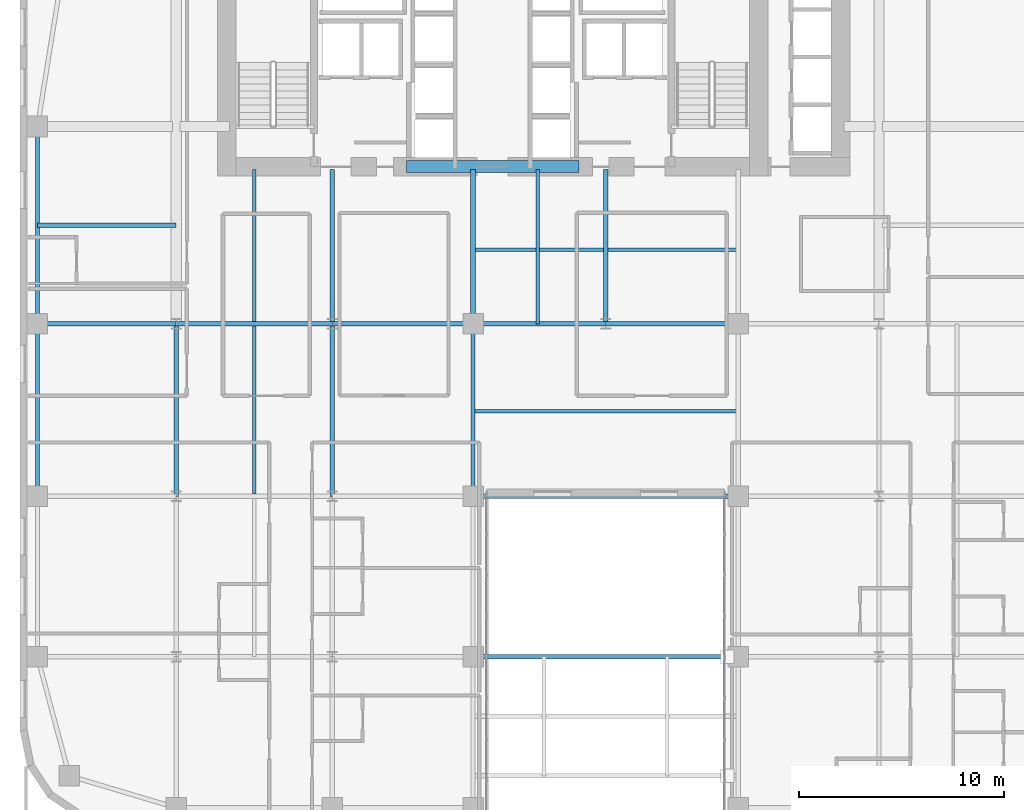
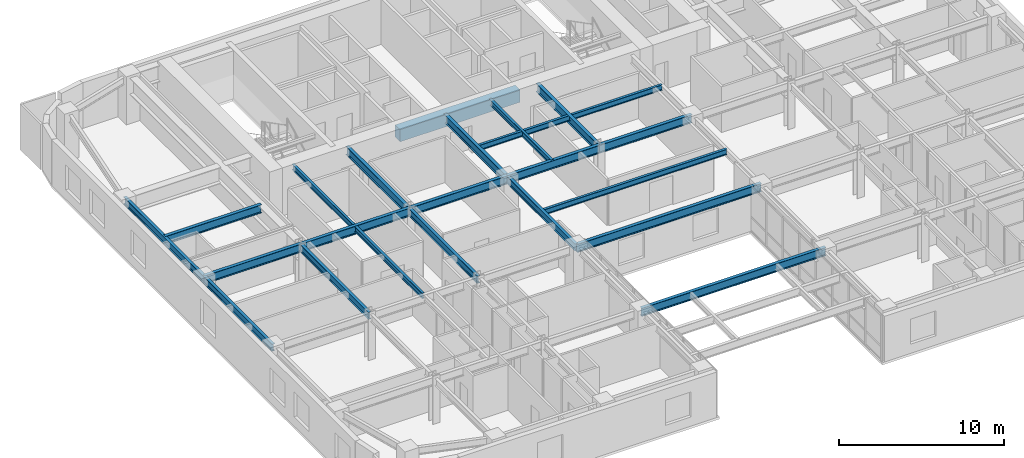
# One storey, part 4 of 16: 22 beams.
"""IFC4 building model written with IfcOpenShell, lengths in metres."""

from ifc_helpers import new_model, si_unit, direction, frame, origin, origin_2d, place, context, subcontext, project, spatial, rectangle, i_section, extrude, source, transform, mapped, material, material_profile, profile_set, type_object, type_shapes, element, save


model = new_model("IFC4")

# Units and contexts
model_context = context("Model", 3, precision=1e-05, world=origin(), true_north=direction((0.0, 1.0)))
body_context = subcontext(model_context, "Body", "Model", "MODEL_VIEW")
ifc_project = project(units=[si_unit("LENGTHUNIT", "METRE"), si_unit("AREAUNIT", "SQUARE_METRE"), si_unit("VOLUMEUNIT", "CUBIC_METRE"), si_unit("PLANEANGLEUNIT", "RADIAN"), si_unit("MASSUNIT", "GRAM", prefix="KILO")], contexts=[model_context])

# Site, building, storey
site_placement = place(None, origin())
site = spatial("IfcSite", under=ifc_project, at=site_placement, CompositionType="ELEMENT")
building_placement = place(site_placement, origin())
building = spatial("IfcBuilding", under=site, at=building_placement, Name="Tolvann Quenvar Hotel", CompositionType="ELEMENT")
storey_placement = place(building_placement, frame((0.0, 0.0, 71.050048828125)))
storey = spatial("IfcBuildingStorey", under=building, at=storey_placement, Name="L17", CompositionType="ELEMENT", Elevation=71.050048828125)

# Beams
ifc_material_1 = material(Name="Concrete N50 (50 MPa)", Category="concrete")
ifc_material_profile_1 = material_profile(ifc_material_1, rectangle(XDim=0.60009765625, YDim=0.89990234375, at=origin_2d()), Name="RC600x900")
ifc_profile_set_1 = profile_set([ifc_material_profile_1], Name="Concrete N50 (50 MPa)")
beam_type_1 = type_object("IfcBeamType", Name="BM_LINT_RC600x900", PredefinedType="LINTEL", material=ifc_profile_set_1)
shared_shape_1 = source(origin(), body_context, "Body", "SweptSolid", [
    extrude(rectangle(XDim=0.60009765625, YDim=0.89990234375, at=origin_2d()), origin(), (0.0, 0.0, 1.0), 8.39990234375),
])
type_shapes(beam_type_1, [shared_shape_1])
beam_1_placement = place(storey_placement, frame((18.800048828125, 32.050048828125, 2.919921875), z_axis=(1.0, 0.0, 0.0), x_axis=(0.0, 1.0, 0.0)))
element("IfcBeam", 1, at=beam_1_placement, inside=storey, type_object=beam_type_1, Name="Core Coupling Lintel Beam (L17)", PredefinedType="LINTEL", context=body_context, shape_type="MappedRepresentation", body=[
    mapped(shared_shape_1, transform((0.0, 0.0, 0.0), x_axis=(1.0, 0.0, 0.0), y_axis=(0.0, 1.0, 0.0), z_axis=(0.0, 0.0, 1.0), scale=1.0)),
])
ifc_material_2 = material(Name="Steel Grade 350", Category="steel")
ifc_material_profile_2 = material_profile(ifc_material_2, i_section(OverallWidth=0.22900390625, OverallDepth=0.612060546875, WebThickness=0.011962890625, FlangeThickness=0.01953125, FilletRadius=0.013916015625, at=origin_2d()), Name="610UB125")
ifc_profile_set_2 = profile_set([ifc_material_profile_2], Name="Steel Grade 350")
beam_type_2 = type_object("IfcBeamType", Name="BM_GIRD_610UB125", PredefinedType="BEAM", material=ifc_profile_set_2)
shared_shape_2 = source(origin(), body_context, "Body", "SweptSolid", [
    extrude(i_section(OverallWidth=0.22900390625, OverallDepth=0.612060546875, WebThickness=0.011962890625, FlangeThickness=0.01953125, FilletRadius=0.013916015625, at=origin_2d()), origin(), (0.0, 0.0, 1.0), 6.75),
])
for number, where, z_axis, x_axis, name in (
    (2, (0.85009765625, 24.39990234375, 3.06396484375), (1.0, 0.0, 0.0), (0.0, 1.0, 0.0), "BM-L17-EW-5-B5-C5"),
    (3, (0.85009765625, 29.199951171875, 3.06396484375), (1.0, 0.0, 0.0), (0.0, 1.0, 0.0), "BM-L17-EW-BC29"),
):
    element("IfcBeam", number, at=place(storey_placement, frame(where, z_axis=z_axis, x_axis=x_axis)), inside=storey, type_object=beam_type_2, Name=name, PredefinedType="BEAM", context=body_context, shape_type="MappedRepresentation", body=[
        mapped(shared_shape_2, transform((0.0, 0.0, 0.0), x_axis=(1.0, 0.0, 0.0), y_axis=(0.0, 1.0, 0.0), z_axis=(0.0, 0.0, 1.0), scale=1.0)),
    ])
shared_shape_3 = source(origin(), body_context, "Body", "SweptSolid", [
    extrude(i_section(OverallWidth=0.22900390625, OverallDepth=0.612060546875, WebThickness=0.011962890625, FlangeThickness=0.01953125, FilletRadius=0.013916015625, at=origin_2d()), origin(), (0.0, 0.0, 1.0), 7.599853515625),
])
beam_2_placement = place(storey_placement, frame((7.60009765625, 24.39990234375, 3.06396484375), z_axis=(1.0, 0.0, 0.0), x_axis=(0.0, 1.0, 0.0)))
element("IfcBeam", 4, at=beam_2_placement, inside=storey, type_object=beam_type_2, Name="BM-L17-EW-5-C5-D5", PredefinedType="BEAM", context=body_context, shape_type="MappedRepresentation", body=[
    mapped(shared_shape_3, transform((0.0, 0.0, 0.0), x_axis=(1.0, 0.0, 0.0), y_axis=(0.0, 1.0, 0.0), z_axis=(0.0, 0.0, 1.0), scale=1.0)),
])
shared_shape_4 = source(origin(), body_context, "Body", "SweptSolid", [
    extrude(i_section(OverallWidth=0.22900390625, OverallDepth=0.612060546875, WebThickness=0.011962890625, FlangeThickness=0.01953125, FilletRadius=0.013916015625, at=origin_2d()), origin(), (0.0, 0.0, 1.0), 6.85009765625),
])
beam_3_placement = place(storey_placement, frame((15.199951171875, 24.39990234375, 3.06396484375), z_axis=(1.0, 0.0, 0.0), x_axis=(0.0, 1.0, 0.0)))
element("IfcBeam", 5, at=beam_3_placement, inside=storey, type_object=beam_type_2, Name="BM-L17-EW-5-D5-E5", PredefinedType="BEAM", context=body_context, shape_type="MappedRepresentation", body=[
    mapped(shared_shape_4, transform((0.0, 0.0, 0.0), x_axis=(1.0, 0.0, 0.0), y_axis=(0.0, 1.0, 0.0), z_axis=(0.0, 0.0, 1.0), scale=1.0)),
])
shared_shape_5 = source(origin(), body_context, "Body", "SweptSolid", [
    extrude(i_section(OverallWidth=0.22900390625, OverallDepth=0.612060546875, WebThickness=0.011962890625, FlangeThickness=0.01953125, FilletRadius=0.013916015625, at=origin_2d()), origin(), (0.0, 0.0, 1.0), 12.89990234375),
])
for number, where, z_axis, x_axis, name in (
    (6, (22.050048828125, 16.0, 3.06396484375), (1.0, 0.0, 0.0), (0.0, 1.0, 0.0), "BM-L17-EW-4-E4-F4"),
    (7, (22.050048828125, 8.199951171875, 3.06396484375), (1.0, 0.0, 0.0), (0.0, 1.0, 0.0), "Skybridge Longitudinal Support Girder (L18-N)"),
):
    element("IfcBeam", number, at=place(storey_placement, frame(where, z_axis=z_axis, x_axis=x_axis)), inside=storey, type_object=beam_type_2, Name=name, PredefinedType="BEAM", context=body_context, shape_type="MappedRepresentation", body=[
        mapped(shared_shape_5, transform((0.0, 0.0, 0.0), x_axis=(1.0, 0.0, 0.0), y_axis=(0.0, 1.0, 0.0), z_axis=(0.0, 0.0, 1.0), scale=1.0)),
    ])
shared_shape_6 = source(origin(), body_context, "Body", "SweptSolid", [
    extrude(i_section(OverallWidth=0.22900390625, OverallDepth=0.612060546875, WebThickness=0.011962890625, FlangeThickness=0.01953125, FilletRadius=0.013916015625, at=origin_2d()), origin(), (0.0, 0.0, 1.0), 6.449951171875),
])
for number, where, z_axis, x_axis, name in (
    (8, (22.050048828125, 24.39990234375, 3.06396484375), (1.0, 0.0, 0.0), (0.0, 1.0, 0.0), "BM-L17-EW-5-E5-M5"),
    (9, (28.5, 24.39990234375, 3.06396484375), (1.0, 0.0, 0.0), (0.0, 1.0, 0.0), "BM-L17-EW-5-M5-F5"),
):
    element("IfcBeam", number, at=place(storey_placement, frame(where, z_axis=z_axis, x_axis=x_axis)), inside=storey, type_object=beam_type_2, Name=name, PredefinedType="BEAM", context=body_context, shape_type="MappedRepresentation", body=[
        mapped(shared_shape_6, transform((0.0, 0.0, 0.0), x_axis=(1.0, 0.0, 0.0), y_axis=(0.0, 1.0, 0.0), z_axis=(0.0, 0.0, 1.0), scale=1.0)),
    ])
ifc_material_profile_3 = material_profile(ifc_material_2, i_section(OverallWidth=0.208984375, OverallDepth=0.528076171875, WebThickness=0.009521484375, FlangeThickness=0.01318359375, FilletRadius=0.013916015625, at=origin_2d()), Name="530UB82")
ifc_profile_set_3 = profile_set([ifc_material_profile_3], Name="Steel Grade 350")
beam_type_3 = type_object("IfcBeamType", Name="BM_SPAND_530UB82", PredefinedType="SPANDREL", material=ifc_profile_set_3)
shared_shape_7 = source(origin(), body_context, "Body", "SweptSolid", [
    extrude(i_section(OverallWidth=0.208984375, OverallDepth=0.528076171875, WebThickness=0.009521484375, FlangeThickness=0.01318359375, FilletRadius=0.013916015625, at=origin_2d()), origin(), (0.0, 0.0, 1.0), 8.39990234375),
])
beam_4_placement = place(storey_placement, frame((0.85009765625, 16.0, 3.10595703125), z_axis=(0.0, 1.0, 0.0), x_axis=(-1.0, 0.0, 0.0)))
element("IfcBeam", 10, at=beam_4_placement, inside=storey, type_object=beam_type_3, Name="BM-L17-NS-B4-B5", PredefinedType="SPANDREL", context=body_context, shape_type="MappedRepresentation", body=[
    mapped(shared_shape_7, transform((0.0, 0.0, 0.0), x_axis=(1.0, 0.0, 0.0), y_axis=(0.0, 1.0, 0.0), z_axis=(0.0, 0.0, 1.0), scale=1.0)),
])
ifc_material_profile_4 = material_profile(ifc_material_2, i_section(OverallWidth=0.208984375, OverallDepth=0.532958984375, WebThickness=0.01025390625, FlangeThickness=0.015625, FilletRadius=0.013916015625, at=origin_2d()), Name="530UB92")
ifc_profile_set_4 = profile_set([ifc_material_profile_4], Name="Steel Grade 350")
beam_type_4 = type_object("IfcBeamType", Name="BM_GIRD_530UB92", PredefinedType="BEAM", material=ifc_profile_set_4)
shared_shape_8 = source(origin(), body_context, "Body", "SweptSolid", [
    extrude(i_section(OverallWidth=0.208984375, OverallDepth=0.532958984375, WebThickness=0.01025390625, FlangeThickness=0.015625, FilletRadius=0.013916015625, at=origin_2d()), origin(), (0.0, 0.0, 1.0), 8.39990234375),
])
type_shapes(beam_type_4, [shared_shape_8])
for number, where, z_axis, x_axis, name in (
    (11, (7.60009765625, 16.0, 3.103515625), (0.0, 1.0, 0.0), (-1.0, 0.0, 0.0), "BM-L17-NS-C4-C5"),
    (12, (15.199951171875, 16.0, 3.103515625), (0.0, 1.0, 0.0), (-1.0, 0.0, 0.0), "BM-L17-NS-D4-D5"),
    (13, (22.050048828125, 16.0, 3.103515625), (0.0, 1.0, 0.0), (-1.0, 0.0, 0.0), "BM-L17-NS-E4-E5"),
):
    element("IfcBeam", number, at=place(storey_placement, frame(where, z_axis=z_axis, x_axis=x_axis)), inside=storey, type_object=beam_type_4, Name=name, PredefinedType="BEAM", context=body_context, shape_type="MappedRepresentation", body=[
        mapped(shared_shape_8, transform((0.0, 0.0, 0.0), x_axis=(1.0, 0.0, 0.0), y_axis=(0.0, 1.0, 0.0), z_axis=(0.0, 0.0, 1.0), scale=1.0)),
    ])
shared_shape_9 = source(origin(), body_context, "Body", "SweptSolid", [
    extrude(i_section(OverallWidth=0.22900390625, OverallDepth=0.612060546875, WebThickness=0.011962890625, FlangeThickness=0.01953125, FilletRadius=0.013916015625, at=origin_2d()), origin(), (0.0, 0.0, 1.0), 7.5),
])
type_shapes(beam_type_2, [shared_shape_2, shared_shape_3, shared_shape_4, shared_shape_5, shared_shape_6, shared_shape_9])
for number, where, z_axis, x_axis, name in (
    (14, (15.199951171875, 24.39990234375, 3.06396484375), (0.0, 1.0, 0.0), (-1.0, 0.0, 0.0), "BM-L17-CORE-D5"),
    (15, (22.050048828125, 24.39990234375, 3.06396484375), (0.0, 1.0, 0.0), (-1.0, 0.0, 0.0), "BM-L17-CORE-E5"),
    (16, (28.5, 24.39990234375, 3.06396484375), (0.0, 1.0, 0.0), (-1.0, 0.0, 0.0), "BM-L17-CORE-M5"),
):
    element("IfcBeam", number, at=place(storey_placement, frame(where, z_axis=z_axis, x_axis=x_axis)), inside=storey, type_object=beam_type_2, Name=name, PredefinedType="BEAM", context=body_context, shape_type="MappedRepresentation", body=[
        mapped(shared_shape_9, transform((0.0, 0.0, 0.0), x_axis=(1.0, 0.0, 0.0), y_axis=(0.0, 1.0, 0.0), z_axis=(0.0, 0.0, 1.0), scale=1.0)),
    ])
shared_shape_10 = source(origin(), body_context, "Body", "SweptSolid", [
    extrude(i_section(OverallWidth=0.208984375, OverallDepth=0.528076171875, WebThickness=0.009521484375, FlangeThickness=0.01318359375, FilletRadius=0.013916015625, at=origin_2d()), origin(), (0.0, 0.0, 1.0), 9.60009765625),
])
type_shapes(beam_type_3, [shared_shape_7, shared_shape_10])
beam_5_placement = place(storey_placement, frame((0.85009765625, 24.39990234375, 3.10595703125), z_axis=(0.0, 1.0, 0.0), x_axis=(-1.0, 0.0, 0.0)))
element("IfcBeam", 17, at=beam_5_placement, inside=storey, type_object=beam_type_3, Name="BM-L17-FLK-W1", PredefinedType="SPANDREL", context=body_context, shape_type="MappedRepresentation", body=[
    mapped(shared_shape_10, transform((0.0, 0.0, 0.0), x_axis=(1.0, 0.0, 0.0), y_axis=(0.0, 1.0, 0.0), z_axis=(0.0, 0.0, 1.0), scale=1.0)),
])
ifc_material_profile_5 = material_profile(ifc_material_2, i_section(OverallWidth=0.177978515625, OverallDepth=0.406005859375, WebThickness=0.0078125, FlangeThickness=0.0126953125, FilletRadius=0.011474609375, at=origin_2d()), Name="410UB60")
ifc_profile_set_5 = profile_set([ifc_material_profile_5], Name="Steel Grade 350")
beam_type_5 = type_object("IfcBeamType", Name="BM_JOIST_410UB60", PredefinedType="JOIST", material=ifc_profile_set_5)
shared_shape_11 = source(origin(), body_context, "Body", "SweptSolid", [
    extrude(i_section(OverallWidth=0.177978515625, OverallDepth=0.406005859375, WebThickness=0.0078125, FlangeThickness=0.0126953125, FilletRadius=0.011474609375, at=origin_2d()), origin(), (0.0, 0.0, 1.0), 12.89990234375),
])
for number, where, z_axis, x_axis, name in (
    (18, (22.050048828125, 20.14990234375, 3.1669921875), (1.0, 0.0, 0.0), (0.0, 1.0, 0.0), "BM-L17-SPINE-20"),
    (19, (22.050048828125, 28.0, 3.1669921875), (1.0, 0.0, 0.0), (0.0, 1.0, 0.0), "BM-L17-SPINE-28"),
):
    element("IfcBeam", number, at=place(storey_placement, frame(where, z_axis=z_axis, x_axis=x_axis)), inside=storey, type_object=beam_type_5, Name=name, PredefinedType="JOIST", context=body_context, shape_type="MappedRepresentation", body=[
        mapped(shared_shape_11, transform((0.0, 0.0, 0.0), x_axis=(1.0, 0.0, 0.0), y_axis=(0.0, 1.0, 0.0), z_axis=(0.0, 0.0, 1.0), scale=1.0)),
    ])
shared_shape_12 = source(origin(), body_context, "Body", "SweptSolid", [
    extrude(i_section(OverallWidth=0.177978515625, OverallDepth=0.406005859375, WebThickness=0.0078125, FlangeThickness=0.0126953125, FilletRadius=0.011474609375, at=origin_2d()), origin(), (0.0, 0.0, 1.0), 8.18310546875),
])
beam_6_placement = place(storey_placement, frame((11.39990234375, 16.1083984375, 3.1669921875), z_axis=(0.0, 1.0, 0.0), x_axis=(-1.0, 0.0, 0.0)))
element("IfcBeam", 20, at=beam_6_placement, inside=storey, type_object=beam_type_5, Name="BJ-L17-114-160", PredefinedType="JOIST", context=body_context, shape_type="MappedRepresentation", body=[
    mapped(shared_shape_12, transform((0.0, 0.0, 0.0), x_axis=(1.0, 0.0, 0.0), y_axis=(0.0, 1.0, 0.0), z_axis=(0.0, 0.0, 1.0), scale=1.0)),
])
shared_shape_13 = source(origin(), body_context, "Body", "SweptSolid", [
    extrude(i_section(OverallWidth=0.177978515625, OverallDepth=0.406005859375, WebThickness=0.0078125, FlangeThickness=0.0126953125, FilletRadius=0.011474609375, at=origin_2d()), origin(), (0.0, 0.0, 1.0), 7.391357421875),
])
beam_7_placement = place(storey_placement, frame((11.39990234375, 24.508544921875, 3.1669921875), z_axis=(0.0, 1.0, 0.0), x_axis=(-1.0, 0.0, 0.0)))
element("IfcBeam", 21, at=beam_7_placement, inside=storey, type_object=beam_type_5, Name="BJ-L17-114-244", PredefinedType="JOIST", context=body_context, shape_type="MappedRepresentation", body=[
    mapped(shared_shape_13, transform((0.0, 0.0, 0.0), x_axis=(1.0, 0.0, 0.0), y_axis=(0.0, 1.0, 0.0), z_axis=(0.0, 0.0, 1.0), scale=1.0)),
])
shared_shape_14 = source(origin(), body_context, "Body", "SweptSolid", [
    extrude(i_section(OverallWidth=0.177978515625, OverallDepth=0.406005859375, WebThickness=0.0078125, FlangeThickness=0.0126953125, FilletRadius=0.011474609375, at=origin_2d()), origin(), (0.0, 0.0, 1.0), 7.5),
])
type_shapes(beam_type_5, [shared_shape_11, shared_shape_12, shared_shape_13, shared_shape_14])
beam_8_placement = place(storey_placement, frame((25.199951171875, 24.39990234375, 3.1669921875), z_axis=(0.0, 1.0, 0.0), x_axis=(-1.0, 0.0, 0.0)))
element("IfcBeam", 22, at=beam_8_placement, inside=storey, type_object=beam_type_5, Name="BJ-L17-252-244", PredefinedType="JOIST", context=body_context, shape_type="MappedRepresentation", body=[
    mapped(shared_shape_14, transform((0.0, 0.0, 0.0), x_axis=(1.0, 0.0, 0.0), y_axis=(0.0, 1.0, 0.0), z_axis=(0.0, 0.0, 1.0), scale=1.0)),
])

save(model, "model.ifc")
